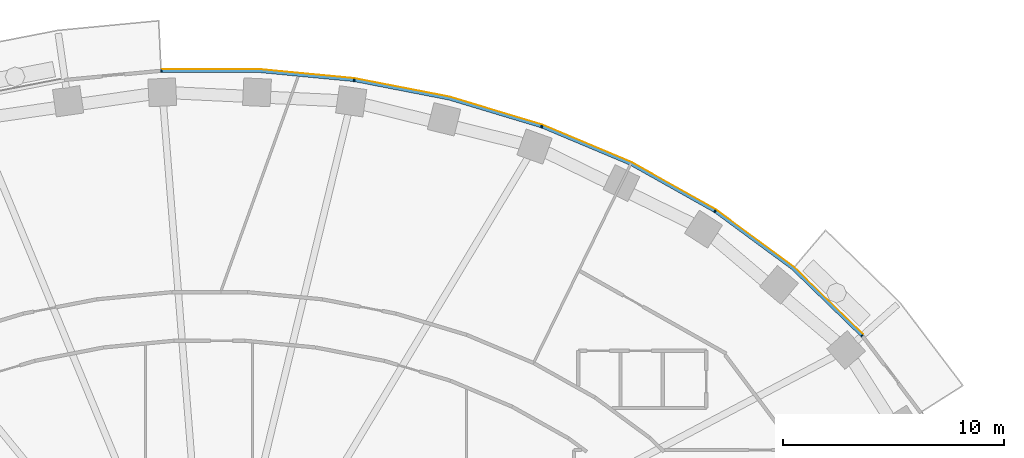
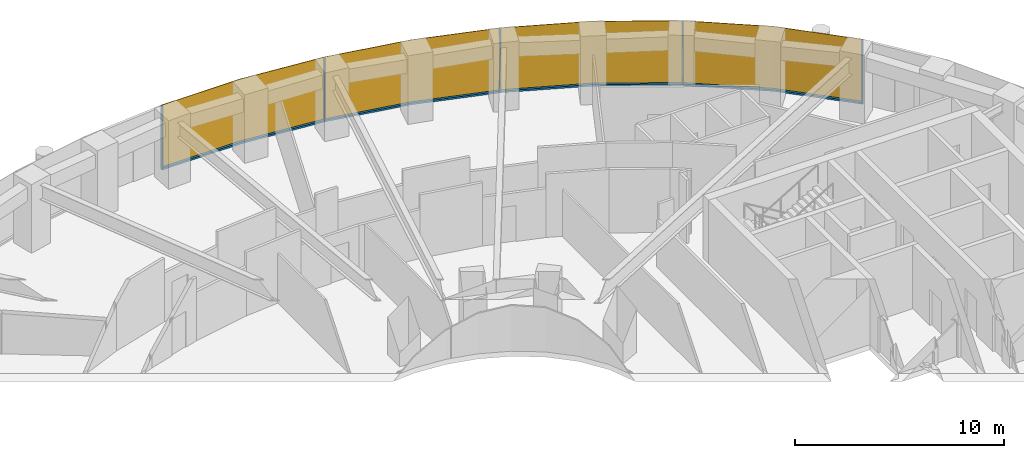
# One storey, part 14 of 17: 9 members, 1 curtain wall.
"""IFC4 building model written with IfcOpenShell, lengths in metres."""

from ifc_helpers import new_model, si_unit, direction, frame, origin, origin_2d, place, context, subcontext, project, spatial, polyline, rectangle, outline, extrude, material, layer, layer_set, material_profile, profile_set, type_object, element, aggregate, save


model = new_model("IFC4")

# Units and contexts
model_context = context("Model", 3, precision=1e-05, world=origin(), true_north=direction((0.0, 1.0)))
body_context = subcontext(model_context, "Body", "Model", "MODEL_VIEW")
ifc_project = project(units=[si_unit("LENGTHUNIT", "METRE"), si_unit("AREAUNIT", "SQUARE_METRE"), si_unit("VOLUMEUNIT", "CUBIC_METRE"), si_unit("PLANEANGLEUNIT", "RADIAN"), si_unit("MASSUNIT", "GRAM", prefix="KILO")], contexts=[model_context])

# Member
ifc_material_1 = material(Name="Aluminium 6063-T6 black anodised", Category="aluminium")
ifc_material_profile = material_profile(ifc_material_1, rectangle(XDim=0.1201171875, YDim=0.06005859375, at=origin_2d()), Name="120x60")
ifc_profile_set = profile_set([ifc_material_profile], Name="Aluminium 6063-T6 black anodised")
member_type_1 = type_object("IfcMemberType", Name="ENV-MULLION-A-120", PredefinedType="MULLION", material=ifc_profile_set)
site_placement = place(None, origin())
building_placement = place(site_placement, origin())
storey_placement = place(building_placement, frame((0.0, 0.0, 120.0)))
member_1_placement = place(storey_placement, frame((29.53857421875, 15.8671875, 0.0), z_axis=(0.0, 0.0, 1.0), x_axis=(-0.749047221705, -0.662516610853, 0.0)))
member_1 = element("IfcMember", 1, at=member_1_placement, type_object=member_type_1, Name="Mullion A radial 05", PredefinedType="MULLION", context=body_context, shape_type="SweptSolid", body=[
    extrude(rectangle(XDim=0.1201171875, YDim=0.06005859375, at=origin_2d()), origin(), (0.0, 0.0, 1.0), 3.699951171875),
])

member_2_placement = place(storey_placement, frame((22.882568359375, 21.506591796875, 0.0), z_axis=(0.0, 0.0, 1.0), x_axis=(-0.542279153225, -0.840198381323, 0.0)))
member_2 = element("IfcMember", 2, at=member_2_placement, type_object=member_type_1, Name="Mullion A radial 07", PredefinedType="MULLION", context=body_context, shape_type="SweptSolid", body=[
    extrude(rectangle(XDim=0.1201171875, YDim=0.06005859375, at=origin_2d()), origin(), (0.0, 0.0, 1.0), 3.699951171875),
])

member_3_placement = place(storey_placement, frame((15.0341796875, 25.34375, 0.0), z_axis=(0.0, 0.0, 1.0), x_axis=(-0.338379256581, -0.941009818608, 0.0)))
member_3 = element("IfcMember", 3, at=member_3_placement, type_object=member_type_1, Name="Mullion A radial 09", PredefinedType="MULLION", context=body_context, shape_type="SweptSolid", body=[
    extrude(rectangle(XDim=0.1201171875, YDim=0.06005859375, at=origin_2d()), origin(), (0.0, 0.0, 1.0), 3.699951171875),
])

member_4_placement = place(storey_placement, frame((6.54638671875, 27.440185546875, 0.0), z_axis=(0.0, 0.0, 1.0), x_axis=(-0.143082012705, -0.989710835366, 0.0)))
member_4 = element("IfcMember", 4, at=member_4_placement, type_object=member_type_1, Name="Mullion A radial 11", PredefinedType="MULLION", context=body_context, shape_type="SweptSolid", body=[
    extrude(rectangle(XDim=0.1201171875, YDim=0.06005859375, at=origin_2d()), origin(), (0.0, 0.0, 1.0), 3.699951171875),
])

member_5_placement = place(storey_placement, frame((-2.188720703125, 27.856201171875, 0.0), z_axis=(0.0, 0.0, 1.0), x_axis=(0.047557873581, -0.998868484166, 0.0)))
member_5 = element("IfcMember", 5, at=member_5_placement, type_object=member_type_1, Name="Mullion A radial 13", PredefinedType="MULLION", context=body_context, shape_type="SweptSolid", body=[
    extrude(rectangle(XDim=0.1201171875, YDim=0.06005859375, at=origin_2d()), origin(), (0.0, 0.0, 1.0), 3.699951171875),
])

ifc_material_2 = material(Name="Aluminium 6063-T6 black anodised", Category="aluminium")
member_type_2 = type_object("IfcMemberType", Name="ENV-TRANSOM-A", PredefinedType="USERDEFINED", material=ifc_material_2)
member_6_placement = place(storey_placement, origin())
member_6 = element("IfcMember", 6, at=member_6_placement, type_object=member_type_2, Name="Transom A radial 05-07", ObjectType="TRANSOM", PredefinedType="USERDEFINED", context=body_context, shape_type="SweptSolid", body=[
    extrude(outline(polyline([(29.5634765625, 15.926513671875), (26.4423828125, 18.958740234375), (22.937744140625, 21.540283203125), (22.87255859375, 21.439208984375), (26.364501953125, 18.866943359375), (29.473388671875, 15.8466796875), (29.5634765625, 15.926513671875)])), origin(), (0.0, 0.0, 1.0), 0.10009765625),
])

member_7_placement = place(storey_placement, origin())
member_7 = element("IfcMember", 7, at=member_7_placement, type_object=member_type_2, Name="Transom A radial 07-09", ObjectType="TRANSOM", PredefinedType="USERDEFINED", context=body_context, shape_type="SweptSolid", body=[
    extrude(outline(polyline([(22.890625, 21.570556640625), (19.093994140625, 23.701416015625), (15.080322265625, 25.389404296875), (15.03955078125, 25.276123046875), (19.041259765625, 23.593505859375), (22.825439453125, 21.469482421875), (22.890625, 21.570556640625)])), origin(), (0.0, 0.0, 1.0), 0.10009765625),
])

member_8_placement = place(storey_placement, origin())
member_8 = element("IfcMember", 8, at=member_8_placement, type_object=member_type_2, Name="Transom A radial 09-11", ObjectType="TRANSOM", PredefinedType="USERDEFINED", context=body_context, shape_type="SweptSolid", body=[
    extrude(outline(polyline([(15.027587890625, 25.408203125), (10.857666015625, 26.6630859375), (6.58251953125, 27.494140625), (6.5654296875, 27.375244140625), (10.828857421875, 26.54638671875), (14.987060546875, 25.295166015625), (15.027587890625, 25.408203125)])), origin(), (0.0, 0.0, 1.0), 0.10009765625),
])

member_9_placement = place(storey_placement, origin())
member_9 = element("IfcMember", 9, at=member_9_placement, type_object=member_type_2, Name="Transom A radial 11-13", ObjectType="TRANSOM", PredefinedType="USERDEFINED", context=body_context, shape_type="SweptSolid", body=[
    extrude(outline(polyline([(6.527099609375, 27.502197265625), (2.191650390625, 27.916015625), (-2.163818359375, 27.916015625), (-2.157958984375, 27.7958984375), (2.185791015625, 27.7958984375), (6.510009765625, 27.38330078125), (6.527099609375, 27.502197265625)])), origin(), (0.0, 0.0, 1.0), 0.10009765625),
])

# Site, building, storey
site = spatial("IfcSite", under=ifc_project, at=site_placement, CompositionType="ELEMENT")
building = spatial("IfcBuilding", under=site, at=building_placement, Name="Noorbagh Ring Tower", CompositionType="ELEMENT")
storey = spatial("IfcBuildingStorey", under=building, at=storey_placement, Name="L27", CompositionType="ELEMENT", Elevation=120.0)

# Curtain wall
ifc_material_3 = material(Name="Glass dark tinted laminated", Category="glass")
ifc_layer = layer(ifc_material_3, 0.031982421875)
ifc_layer_set = layer_set([ifc_layer], Name="Glass dark tinted laminated")
curtain_wall_type = type_object("IfcCurtainWallType", Name="ENV-CW-A", PredefinedType="NOTDEFINED", material=ifc_layer_set)
curtain_wall_placement = place(storey_placement, origin())
curtain_wall = element("IfcCurtainWall", 10, at=curtain_wall_placement, inside=storey, type_object=curtain_wall_type, Name="Curtain wall A R05", PredefinedType="NOTDEFINED", context=body_context, shape_type="SweptSolid", body=[
    extrude(outline(polyline([(29.59326171875, 15.942138671875), (26.463134765625, 18.9833984375), (22.9326171875, 21.583740234375), (19.108154296875, 23.730224609375), (15.065185546875, 25.430419921875), (10.865234375, 26.6943359375), (6.559814453125, 27.53125), (2.193115234375, 27.947998046875), (-2.173095703125, 27.947998046875), (-2.171630859375, 27.916015625), (2.191650390625, 27.916015625), (6.55517578125, 27.49951171875), (10.857666015625, 26.6630859375), (15.054443359375, 25.400146484375), (19.093994140625, 23.701416015625), (22.9150390625, 21.556884765625), (26.4423828125, 18.958740234375), (29.569091796875, 15.9208984375), (29.59326171875, 15.942138671875)])), origin(), (0.0, 0.0, 1.0), 3.699951171875),
])

aggregate(curtain_wall, [member_1, member_2, member_3, member_4, member_5, member_6, member_7, member_8, member_9])

save(model, "model.ifc")
